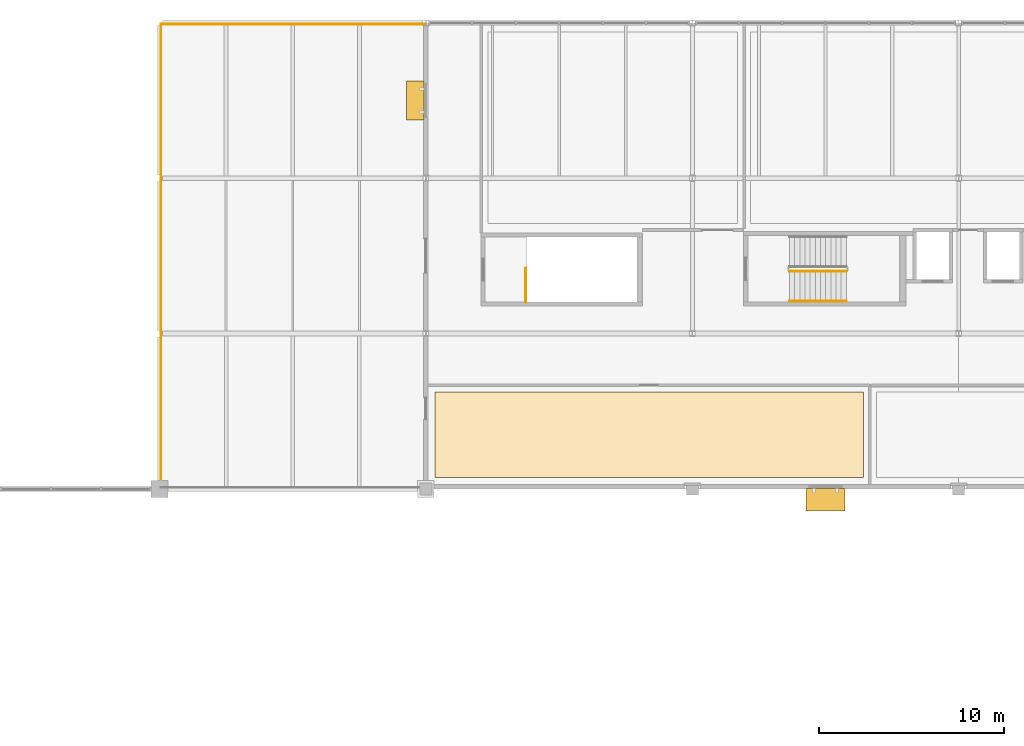
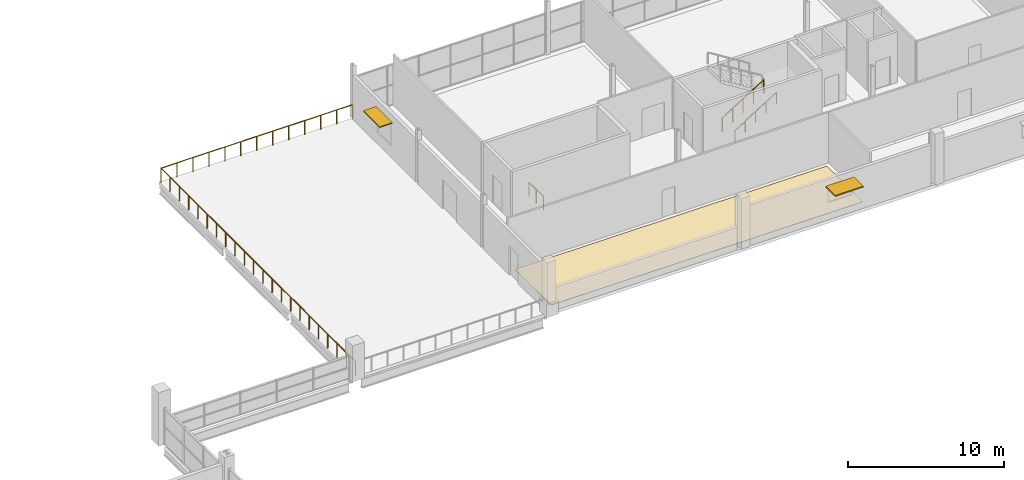
# One storey, part 63 of 68: 5 railings, 2 shading devices, 1 covering.
"""IFC4 building model written with IfcOpenShell, lengths in metres."""

from ifc_helpers import new_model, si_unit, direction, frame, origin, origin_2d, place, context, subcontext, project, spatial, polyline, rectangle, circle, outline, extrude, material, layer, layer_set, type_object, element, save


model = new_model("IFC4")

# Units and contexts
model_context = context("Model", 3, precision=1e-05, world=origin(), true_north=direction((0.0, 1.0)))
body_context = subcontext(model_context, "Body", "Model", "MODEL_VIEW")
ifc_project = project(units=[si_unit("LENGTHUNIT", "METRE"), si_unit("AREAUNIT", "SQUARE_METRE"), si_unit("VOLUMEUNIT", "CUBIC_METRE"), si_unit("PLANEANGLEUNIT", "RADIAN"), si_unit("MASSUNIT", "GRAM", prefix="KILO"), si_unit("THERMODYNAMICTEMPERATUREUNIT", "KELVIN")], contexts=[model_context])

# Site, building, storey
site_placement = place(None, origin())
site = spatial("IfcSite", under=ifc_project, at=site_placement, CompositionType="ELEMENT")
building_placement = place(site_placement, origin())
building = spatial("IfcBuilding", under=site, at=building_placement, Name="Nduvali Passage Aquatics Centre", CompositionType="ELEMENT")
storey_placement = place(building_placement, frame((0.0, 0.0, 13.199951171875)))
storey = spatial("IfcBuildingStorey", under=building, at=storey_placement, Name="L03", CompositionType="ELEMENT", Elevation=13.199951171875)

# Shading devices
ifc_material_1 = material(Name="Aluminium EN AW-6063 T6", Category="aluminium")
ifc_layer_1 = layer(ifc_material_1, 0.090087890625, Name="Aluminium EN AW-6063 T6")
ifc_layer_set_1 = layer_set([ifc_layer_1], Name="Aluminium EN AW-6063 T6")
shading_device_type_1 = type_object("IfcShadingDeviceType", Name="ENV-SHD-SUN1", PredefinedType="AWNING", material=ifc_layer_set_1)
shading_device_1_placement = place(storey_placement, frame((75.60009765625, 91.820068359375, 2.60498046875), z_axis=(0.0, 0.0, 1.0), x_axis=(1.0, 0.0, 0.0)))
element("IfcShadingDevice", 1, at=shading_device_1_placement, inside=storey, type_object=shading_device_type_1, Name="L03 Horizontal Monsoon Sunshade 0113", PredefinedType="AWNING", context=body_context, shape_type="SweptSolid", body=[
    extrude(rectangle(XDim=2.10009765625, YDim=1.199951171875, at=origin_2d()), origin(), (0.0, 0.0, 1.0), 0.090087890625),
])
ifc_layer_2 = layer(ifc_material_1, 0.080078125, Name="Aluminium EN AW-6063 T6")
ifc_layer_set_2 = layer_set([ifc_layer_2], Name="Aluminium EN AW-6063 T6")
shading_device_type_2 = type_object("IfcShadingDeviceType", Name="ENV-SHD-SUN2", PredefinedType="AWNING", material=ifc_layer_set_2)
shading_device_2_placement = place(storey_placement, frame((53.4150390625, 113.39990234375, 2.760009765625), z_axis=(0.0, 0.0, 1.0), x_axis=(0.0, -1.0, 0.0)))
element("IfcShadingDevice", 2, at=shading_device_2_placement, inside=storey, type_object=shading_device_type_2, Name="L03 Horizontal Monsoon Sunshade 0112", PredefinedType="AWNING", context=body_context, shape_type="SweptSolid", body=[
    extrude(rectangle(XDim=2.10009765625, YDim=0.949951171875, at=origin_2d()), origin(), (0.0, 0.0, 1.0), 0.080078125),
])

# Covering
ifc_material_2 = material(Name="Polished coral-aggregate terrazzo")
ifc_layer_3 = layer(ifc_material_2, 0.030029296875, Name="Polished coral-aggregate terrazzo")
ifc_layer_set_3 = layer_set([ifc_layer_3], Name="Polished coral-aggregate terrazzo")
covering_type = type_object("IfcCoveringType", Name="INT-COV-TERRAZZO", PredefinedType="FLOORING", material=ifc_layer_set_3)
covering_placement = place(storey_placement, origin())
element("IfcCovering", 3, at=covering_placement, inside=storey, type_object=covering_type, Name="L03 Lifeguard Certification and Coaching Seminar Suite Floor Finish", PredefinedType="FLOORING", context=body_context, shape_type="SweptSolid", body=[
    extrude(outline(polyline([(54.5, 93.010009765625), (77.64990234375, 93.010009765625), (77.64990234375, 97.64990234375), (54.5, 97.64990234375), (54.5, 93.010009765625)])), origin(), (0.0, 0.0, 1.0), 0.030029296875),
])

# Railings
ifc_material_3 = material(Name="Stainless steel balustrade", Category="steel")
railing_type_1 = type_object("IfcRailingType", Name="INT-RLG-EXT112", PredefinedType="BALUSTRADE", material=ifc_material_3)
railing_1_placement = place(storey_placement, frame((39.679931640625, 117.52001953125, 0.0)))
element("IfcRailing", 4, at=railing_1_placement, inside=storey, type_object=railing_type_1, Name="L03 Roof Terrace North Perimeter Balustrade", PredefinedType="BALUSTRADE", context=body_context, shape_type="SweptSolid", body=[
    extrude(circle(Radius=0.02392578125, at=origin_2d()), frame((0.0, 0.0, 1.09619140625), z_axis=(1.0, 0.0, 0.0), x_axis=(0.0, 1.0, 0.0)), (0.0, 0.0, 1.0), 14.239990234375),
    extrude(circle(Radius=0.02099609375, at=origin_2d()), origin(), (0.0, 0.0, 1.0), 1.072021484375),
    extrude(circle(Radius=0.02099609375, at=origin_2d()), frame((1.186767578125, 0.0, 0.0)), (0.0, 0.0, 1.0), 1.072021484375),
    extrude(circle(Radius=0.02099609375, at=origin_2d()), frame((2.373291015625, 0.0, 0.0)), (0.0, 0.0, 1.0), 1.072021484375),
    extrude(circle(Radius=0.02099609375, at=origin_2d()), frame((3.56005859375, 0.0, 0.0)), (0.0, 0.0, 1.0), 1.072021484375),
    extrude(circle(Radius=0.02099609375, at=origin_2d()), frame((4.74658203125, 0.0, 0.0)), (0.0, 0.0, 1.0), 1.072021484375),
    extrude(circle(Radius=0.02099609375, at=origin_2d()), frame((5.933349609375, 0.0, 0.0)), (0.0, 0.0, 1.0), 1.072021484375),
    extrude(circle(Radius=0.02099609375, at=origin_2d()), frame((7.1201171875, 0.0, 0.0)), (0.0, 0.0, 1.0), 1.072021484375),
    extrude(circle(Radius=0.02099609375, at=origin_2d()), frame((8.306640625, 0.0, 0.0)), (0.0, 0.0, 1.0), 1.072021484375),
    extrude(circle(Radius=0.02099609375, at=origin_2d()), frame((9.493408203125, 0.0, 0.0)), (0.0, 0.0, 1.0), 1.072021484375),
    extrude(circle(Radius=0.02099609375, at=origin_2d()), frame((10.679931640625, 0.0, 0.0)), (0.0, 0.0, 1.0), 1.072021484375),
    extrude(circle(Radius=0.02099609375, at=origin_2d()), frame((11.86669921875, 0.0, 0.0)), (0.0, 0.0, 1.0), 1.072021484375),
    extrude(circle(Radius=0.02099609375, at=origin_2d()), frame((13.05322265625, 0.0, 0.0)), (0.0, 0.0, 1.0), 1.072021484375),
    extrude(circle(Radius=0.02099609375, at=origin_2d()), frame((14.239990234375, 0.0, 0.0)), (0.0, 0.0, 1.0), 1.072021484375),
])
railing_2_placement = place(storey_placement, frame((39.679931640625, 92.47998046875, 0.0)))
element("IfcRailing", 5, at=railing_2_placement, inside=storey, type_object=railing_type_1, Name="L03 Roof Terrace West Perimeter Balustrade", PredefinedType="BALUSTRADE", context=body_context, shape_type="SweptSolid", body=[
    extrude(circle(Radius=0.02392578125, at=origin_2d()), frame((0.0, 0.0, 1.09619140625), z_axis=(0.0, 1.0, 0.0), x_axis=(-1.0, 0.0, 0.0)), (0.0, 0.0, 1.0), 25.0400390625),
    extrude(circle(Radius=0.02099609375, at=origin_2d()), origin(), (0.0, 0.0, 1.0), 1.072021484375),
    extrude(circle(Radius=0.02099609375, at=origin_2d()), frame((0.0, 1.1923828125, 0.0)), (0.0, 0.0, 1.0), 1.072021484375),
    extrude(circle(Radius=0.02099609375, at=origin_2d()), frame((0.0, 2.384765625, 0.0)), (0.0, 0.0, 1.0), 1.072021484375),
    extrude(circle(Radius=0.02099609375, at=origin_2d()), frame((0.0, 3.5771484375, 0.0)), (0.0, 0.0, 1.0), 1.072021484375),
    extrude(circle(Radius=0.02099609375, at=origin_2d()), frame((0.0, 4.76953125, 0.0)), (0.0, 0.0, 1.0), 1.072021484375),
    extrude(circle(Radius=0.02099609375, at=origin_2d()), frame((0.0, 5.9619140625, 0.0)), (0.0, 0.0, 1.0), 1.072021484375),
    extrude(circle(Radius=0.02099609375, at=origin_2d()), frame((0.0, 7.154296875, 0.0)), (0.0, 0.0, 1.0), 1.072021484375),
    extrude(circle(Radius=0.02099609375, at=origin_2d()), frame((0.0, 8.3466796875, 0.0)), (0.0, 0.0, 1.0), 1.072021484375),
    extrude(circle(Radius=0.02099609375, at=origin_2d()), frame((0.0, 9.5390625, 0.0)), (0.0, 0.0, 1.0), 1.072021484375),
    extrude(circle(Radius=0.02099609375, at=origin_2d()), frame((0.0, 10.7314453125, 0.0)), (0.0, 0.0, 1.0), 1.072021484375),
    extrude(circle(Radius=0.02099609375, at=origin_2d()), frame((0.0, 11.923828125, 0.0)), (0.0, 0.0, 1.0), 1.072021484375),
    extrude(circle(Radius=0.02099609375, at=origin_2d()), frame((0.0, 13.1162109375, 0.0)), (0.0, 0.0, 1.0), 1.072021484375),
    extrude(circle(Radius=0.02099609375, at=origin_2d()), frame((0.0, 14.30859375, 0.0)), (0.0, 0.0, 1.0), 1.072021484375),
    extrude(circle(Radius=0.02099609375, at=origin_2d()), frame((0.0, 15.5009765625, 0.0)), (0.0, 0.0, 1.0), 1.072021484375),
    extrude(circle(Radius=0.02099609375, at=origin_2d()), frame((0.0, 16.693359375, 0.0)), (0.0, 0.0, 1.0), 1.072021484375),
    extrude(circle(Radius=0.02099609375, at=origin_2d()), frame((0.0, 17.8857421875, 0.0)), (0.0, 0.0, 1.0), 1.072021484375),
    extrude(circle(Radius=0.02099609375, at=origin_2d()), frame((0.0, 19.078125, 0.0)), (0.0, 0.0, 1.0), 1.072021484375),
    extrude(circle(Radius=0.02099609375, at=origin_2d()), frame((0.0, 20.2705078125, 0.0)), (0.0, 0.0, 1.0), 1.072021484375),
    extrude(circle(Radius=0.02099609375, at=origin_2d()), frame((0.0, 21.462890625, 0.0)), (0.0, 0.0, 1.0), 1.072021484375),
    extrude(circle(Radius=0.02099609375, at=origin_2d()), frame((0.0, 22.6552734375, 0.0)), (0.0, 0.0, 1.0), 1.072021484375),
    extrude(circle(Radius=0.02099609375, at=origin_2d()), frame((0.0, 23.84765625, 0.0)), (0.0, 0.0, 1.0), 1.072021484375),
    extrude(circle(Radius=0.02099609375, at=origin_2d()), frame((0.0, 25.0400390625, 0.0)), (0.0, 0.0, 1.0), 1.072021484375),
])
railing_type_2 = type_object("IfcRailingType", Name="INT-RLG-GRD110", PredefinedType="GUARDRAIL", material=ifc_material_3)
railing_3_placement = place(storey_placement, frame((73.64990234375, 104.169921875, 0.175048828125)))
element("IfcRailing", 6, at=railing_3_placement, inside=storey, type_object=railing_type_2, Name="L03 ST1 stair guard 1", PredefinedType="GUARDRAIL", context=body_context, shape_type="SweptSolid", body=[
    extrude(circle(Radius=0.02392578125, at=origin_2d()), frame((0.0, 0.0, 1.076171875), z_axis=(0.847998304005, 0.0, 0.529998940003), x_axis=(0.0, 1.0, 0.0)), (0.0, 0.0, 1.0), 3.632080078125),
    extrude(circle(Radius=0.02099609375, at=origin_2d()), origin(), (0.0, 0.0, 1.0), 1.052001953125),
    extrude(circle(Radius=0.02099609375, at=origin_2d()), frame((0.77001953125, 0.0, 0.481201171875)), (0.0, 0.0, 1.0), 1.052001953125),
    extrude(circle(Radius=0.02099609375, at=origin_2d()), frame((1.5400390625, 0.0, 0.96240234375)), (0.0, 0.0, 1.0), 1.052001953125),
    extrude(circle(Radius=0.02099609375, at=origin_2d()), frame((2.31005859375, 0.0, 1.44384765625)), (0.0, 0.0, 1.0), 1.052001953125),
    extrude(circle(Radius=0.02099609375, at=origin_2d()), frame((3.080078125, 0.0, 1.925048828125)), (0.0, 0.0, 1.0), 1.052001953125),
])
railing_4_placement = place(storey_placement, frame((59.39990234375, 102.5, 0.0)))
element("IfcRailing", 7, at=railing_4_placement, inside=storey, type_object=railing_type_2, Name="L03 ST3 top well guard 1", PredefinedType="GUARDRAIL", context=body_context, shape_type="SweptSolid", body=[
    extrude(circle(Radius=0.02392578125, at=origin_2d()), frame((0.0, 0.0, 1.076171875), z_axis=(0.0, 1.0, 0.0), x_axis=(-1.0, 0.0, 0.0)), (0.0, 0.0, 1.0), 1.830078125),
    extrude(circle(Radius=0.02099609375, at=origin_2d()), origin(), (0.0, 0.0, 1.0), 1.052001953125),
    extrude(circle(Radius=0.02099609375, at=origin_2d()), frame((0.0, 0.9150390625, 0.0)), (0.0, 0.0, 1.0), 1.052001953125),
    extrude(circle(Radius=0.02099609375, at=origin_2d()), frame((0.0, 1.830078125, 0.0)), (0.0, 0.0, 1.0), 1.052001953125),
])
railing_type_3 = type_object("IfcRailingType", Name="INT-RLG-HND90", PredefinedType="HANDRAIL", material=ifc_material_3)
railing_5_placement = place(storey_placement, frame((73.64990234375, 102.550048828125, 0.353759765625)))
element("IfcRailing", 8, at=railing_5_placement, inside=storey, type_object=railing_type_3, Name="L03 ST1 stair handrail 1", PredefinedType="HANDRAIL", context=body_context, shape_type="SweptSolid", body=[
    extrude(circle(Radius=0.02392578125, at=origin_2d()), frame((0.0, 0.0, 0.8759765625), z_axis=(0.847998304005, 0.0, 0.529998940003), x_axis=(0.0, 1.0, 0.0)), (0.0, 0.0, 1.0), 3.632080078125),
    extrude(circle(Radius=0.02099609375, at=origin_2d()), origin(), (0.0, 0.0, 1.0), 0.851806640625),
    extrude(circle(Radius=0.02099609375, at=origin_2d()), frame((0.77001953125, 0.0, 0.481201171875)), (0.0, 0.0, 1.0), 0.851806640625),
    extrude(circle(Radius=0.02099609375, at=origin_2d()), frame((1.5400390625, 0.0, 0.96240234375)), (0.0, 0.0, 1.0), 0.851806640625),
    extrude(circle(Radius=0.02099609375, at=origin_2d()), frame((2.31005859375, 0.0, 1.44384765625)), (0.0, 0.0, 1.0), 0.851806640625),
    extrude(circle(Radius=0.02099609375, at=origin_2d()), frame((3.080078125, 0.0, 1.925048828125)), (0.0, 0.0, 1.0), 0.851806640625),
])

save(model, "model.ifc")
